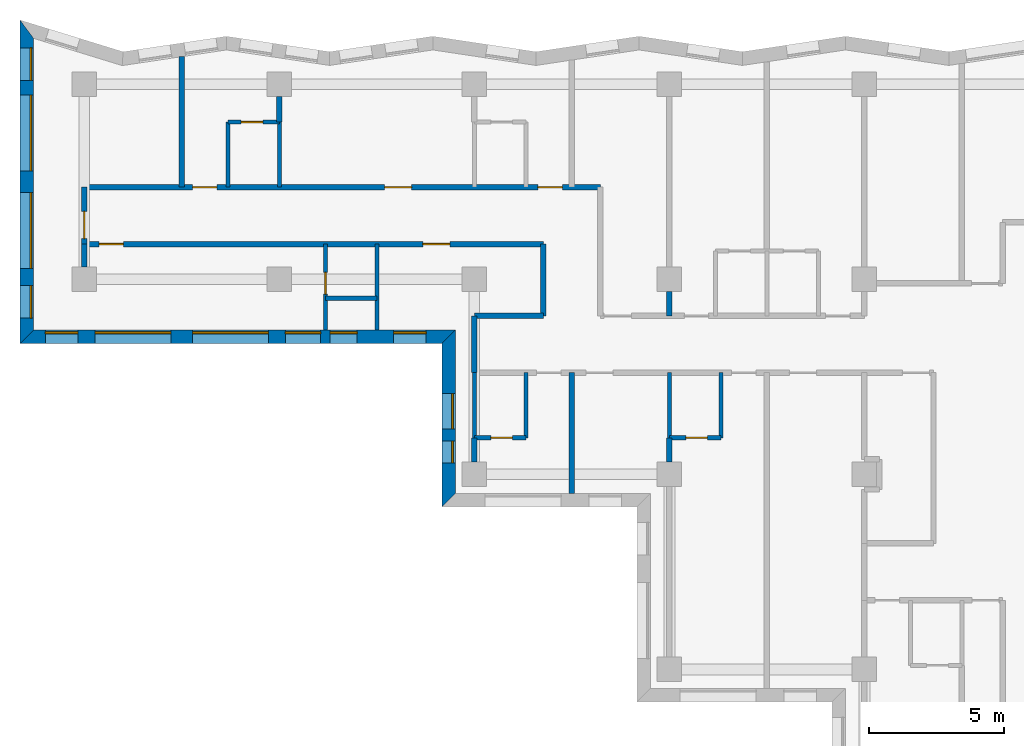
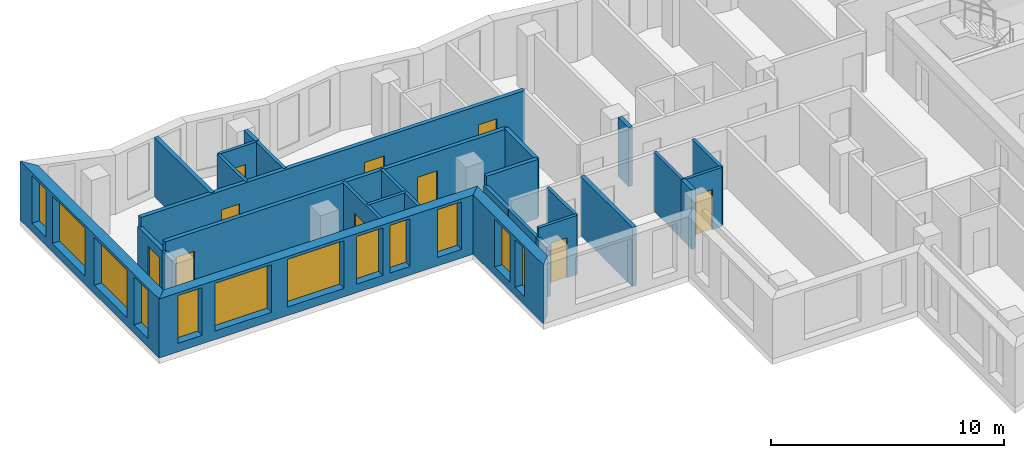
# One storey, part 4 of 12: 28 walls, 12 windows, 10 doors, 22 openings.
"""IFC4 building model written with IfcOpenShell, lengths in metres."""

from ifc_helpers import new_model, si_unit, direction, frame, frame_2d, origin, place, context, subcontext, project, spatial, polyline, rectangle, outline, extrude, material, layer, layer_set, type_object, element, fill, save


model = new_model("IFC4")

# Units and contexts
model_context = context("Model", 3, precision=1e-05, world=origin(), true_north=direction((0.0, 1.0)))
body_context = subcontext(model_context, "Body", "Model", "MODEL_VIEW")
ifc_project = project(units=[si_unit("LENGTHUNIT", "METRE"), si_unit("AREAUNIT", "SQUARE_METRE"), si_unit("VOLUMEUNIT", "CUBIC_METRE"), si_unit("PLANEANGLEUNIT", "RADIAN"), si_unit("MASSUNIT", "GRAM", prefix="KILO")], contexts=[model_context])

# Site, building, storey
site_placement = place(None, origin())
site = spatial("IfcSite", under=ifc_project, at=site_placement, CompositionType="ELEMENT")
building_placement = place(site_placement, origin())
building = spatial("IfcBuilding", under=site, at=building_placement, Name="Windrow Commons", CompositionType="ELEMENT")
storey_placement = place(building_placement, frame((0.0, 0.0, 166.0)))
storey = spatial("IfcBuildingStorey", under=building, at=storey_placement, Name="L45", CompositionType="ELEMENT", Elevation=166.0)

# Wall, openings, windows
ifc_material_1 = material(Name="Brick masonry, red clay brick", Category="masonry")
ifc_layer_1 = layer(ifc_material_1, 0.5)
ifc_layer_set_1 = layer_set([ifc_layer_1], Name="Brick facade wall 500")
wall_type_1 = type_object("IfcWallType", Name="Brick facade wall 500", PredefinedType="SOLIDWALL", material=ifc_layer_set_1)
wall_1_placement = place(storey_placement, frame((19.478, 74.0335, 0.0), z_axis=(0.0, 0.0, 1.0), x_axis=(0.0, -1.0, 0.0)))
wall_1 = element("IfcWall", 1, at=wall_1_placement, inside=storey, type_object=wall_type_1, Name="Brick facade wall L45 35", PredefinedType="SOLIDWALL", context=body_context, shape_type="SweptSolid", body=[
    extrude(outline(polyline([(-0.3385, -0.25), (11.6055, -0.25), (11.1055, 0.25), (0.3385, 0.25), (-0.3385, -0.25)])), origin(), (0.0, 0.0, 1.0), 3.1),
])
opening_1_placement = place(wall_1_placement, frame((2.4335, 0.0, 0.45)))
opening_1 = element("IfcOpeningElement", 2, at=opening_1_placement, cuts=wall_1, Name="Opening W1U", PredefinedType="OPENING", context=body_context, shape_type="SweptSolid", body=[
    extrude(rectangle(XDim=2.8, YDim=2.5, at=frame_2d((1.4, 1.25))), frame((0.0, 0.26, 0.0), z_axis=(0.0, -1.0, 0.0), x_axis=(1.0, 0.0, 0.0)), (0.0, 0.0, 1.0), 0.52),
])
opening_2_placement = place(wall_1_placement, frame((6.0335, 0.0, 0.45)))
opening_2 = element("IfcOpeningElement", 3, at=opening_2_placement, cuts=wall_1, Name="Opening W1U", PredefinedType="OPENING", context=body_context, shape_type="SweptSolid", body=[
    extrude(rectangle(XDim=2.8, YDim=2.5, at=frame_2d((1.4, 1.25))), frame((0.0, 0.26, 0.0), z_axis=(0.0, -1.0, 0.0), x_axis=(1.0, 0.0, 0.0)), (0.0, 0.0, 1.0), 0.52),
])
opening_3_placement = place(wall_1_placement, frame((0.686, 0.0, 0.45)))
opening_3 = element("IfcOpeningElement", 4, at=opening_3_placement, cuts=wall_1, Name="Opening W7E", PredefinedType="OPENING", context=body_context, shape_type="SweptSolid", body=[
    extrude(rectangle(XDim=1.2, YDim=2.5, at=frame_2d((0.6, 1.25))), frame((0.0, 0.26, 0.0), z_axis=(0.0, -1.0, 0.0), x_axis=(1.0, 0.0, 0.0)), (0.0, 0.0, 1.0), 0.52),
])
opening_4_placement = place(wall_1_placement, frame((9.4695, 0.0, 0.45)))
opening_4 = element("IfcOpeningElement", 5, at=opening_4_placement, cuts=wall_1, Name="Opening W7E", PredefinedType="OPENING", context=body_context, shape_type="SweptSolid", body=[
    extrude(rectangle(XDim=1.2, YDim=2.5, at=frame_2d((0.6, 1.25))), frame((0.0, 0.26, 0.0), z_axis=(0.0, -1.0, 0.0), x_axis=(1.0, 0.0, 0.0)), (0.0, 0.0, 1.0), 0.52),
])
ifc_material_2 = material(Name="Clear float glass in anodised aluminium frame", Category="aluminium")
window_type_1 = type_object("IfcWindowType", Name="Window W1U bedroom 2800x2500", PartitioningType="SINGLE_PANEL", PredefinedType="WINDOW", material=ifc_material_2)
window_1_placement = place(opening_1_placement, origin())
window_1 = element("IfcWindow", 6, at=window_1_placement, inside=storey, type_object=window_type_1, Name="Window L45 35.1", OverallHeight=2.5, OverallWidth=2.8, PartitioningType="SINGLE_PANEL", PredefinedType="WINDOW", context=body_context, shape_type="SweptSolid", body=[
    extrude(rectangle(XDim=2.8, YDim=2.5, at=frame_2d((1.4, 1.25))), frame((0.0, 0.18, 0.0), z_axis=(0.0, -1.0, 0.0), x_axis=(1.0, 0.0, 0.0)), (0.0, 0.0, 1.0), 0.06),
])
fill(opening_1, window_1)
window_2_placement = place(opening_2_placement, origin())
window_2 = element("IfcWindow", 7, at=window_2_placement, inside=storey, type_object=window_type_1, Name="Window L45 35.2", OverallHeight=2.5, OverallWidth=2.8, PartitioningType="SINGLE_PANEL", PredefinedType="WINDOW", context=body_context, shape_type="SweptSolid", body=[
    extrude(rectangle(XDim=2.8, YDim=2.5, at=frame_2d((1.4, 1.25))), frame((0.0, 0.18, 0.0), z_axis=(0.0, -1.0, 0.0), x_axis=(1.0, 0.0, 0.0)), (0.0, 0.0, 1.0), 0.06),
])
fill(opening_2, window_2)
ifc_material_3 = material(Name="Clear float glass in anodised aluminium frame", Category="aluminium")
window_type_2 = type_object("IfcWindowType", Name="Window W7 notch 1200x2500", PartitioningType="SINGLE_PANEL", PredefinedType="WINDOW", material=ifc_material_3)
window_3_placement = place(opening_3_placement, origin())
window_3 = element("IfcWindow", 8, at=window_3_placement, inside=storey, type_object=window_type_2, Name="Window L45 35.3", OverallHeight=2.5, OverallWidth=1.2, PartitioningType="SINGLE_PANEL", PredefinedType="WINDOW", context=body_context, shape_type="SweptSolid", body=[
    extrude(rectangle(XDim=1.2, YDim=2.5, at=frame_2d((0.6, 1.25))), frame((0.0, 0.18, 0.0), z_axis=(0.0, -1.0, 0.0), x_axis=(1.0, 0.0, 0.0)), (0.0, 0.0, 1.0), 0.06),
])
fill(opening_3, window_3)
window_4_placement = place(opening_4_placement, origin())
window_4 = element("IfcWindow", 9, at=window_4_placement, inside=storey, type_object=window_type_2, Name="Window L45 35.4", OverallHeight=2.5, OverallWidth=1.2, PartitioningType="SINGLE_PANEL", PredefinedType="WINDOW", context=body_context, shape_type="SweptSolid", body=[
    extrude(rectangle(XDim=1.2, YDim=2.5, at=frame_2d((0.6, 1.25))), frame((0.0, 0.18, 0.0), z_axis=(0.0, -1.0, 0.0), x_axis=(1.0, 0.0, 0.0)), (0.0, 0.0, 1.0), 0.06),
])
fill(opening_4, window_4)

wall_2_placement = place(storey_placement, frame((19.478, 62.678, 0.0), z_axis=(0.0, 0.0, 1.0), x_axis=(1.0, 0.0, 0.0)))
wall_2 = element("IfcWall", 10, at=wall_2_placement, inside=storey, type_object=wall_type_1, Name="Brick facade wall L45 36", PredefinedType="SOLIDWALL", context=body_context, shape_type="SweptSolid", body=[
    extrude(outline(polyline([(-0.25, -0.25), (15.322, -0.25), (15.822, 0.25), (0.25, 0.25), (-0.25, -0.25)])), origin(), (0.0, 0.0, 1.0), 3.1),
])
opening_5_placement = place(wall_2_placement, frame((2.522, 0.0, 0.45)))
opening_5 = element("IfcOpeningElement", 11, at=opening_5_placement, cuts=wall_2, Name="Opening W1U", PredefinedType="OPENING", context=body_context, shape_type="SweptSolid", body=[
    extrude(rectangle(XDim=2.8, YDim=2.5, at=frame_2d((1.4, 1.25))), frame((0.0, 0.26, 0.0), z_axis=(0.0, -1.0, 0.0), x_axis=(1.0, 0.0, 0.0)), (0.0, 0.0, 1.0), 0.52),
])
opening_6_placement = place(wall_2_placement, frame((6.122, 0.0, 0.45)))
opening_6 = element("IfcOpeningElement", 12, at=opening_6_placement, cuts=wall_2, Name="Opening W1U", PredefinedType="OPENING", context=body_context, shape_type="SweptSolid", body=[
    extrude(rectangle(XDim=2.8, YDim=2.5, at=frame_2d((1.4, 1.25))), frame((0.0, 0.26, 0.0), z_axis=(0.0, -1.0, 0.0), x_axis=(1.0, 0.0, 0.0)), (0.0, 0.0, 1.0), 0.52),
])
opening_7_placement = place(wall_2_placement, frame((0.686, 0.0, 0.45)))
opening_7 = element("IfcOpeningElement", 13, at=opening_7_placement, cuts=wall_2, Name="Opening W7E", PredefinedType="OPENING", context=body_context, shape_type="SweptSolid", body=[
    extrude(rectangle(XDim=1.2, YDim=2.5, at=frame_2d((0.6, 1.25))), frame((0.0, 0.26, 0.0), z_axis=(0.0, -1.0, 0.0), x_axis=(1.0, 0.0, 0.0)), (0.0, 0.0, 1.0), 0.52),
])
opening_8_placement = place(wall_2_placement, frame((13.547, 0.0, 0.45)))
opening_8 = element("IfcOpeningElement", 14, at=opening_8_placement, cuts=wall_2, Name="Opening W7E", PredefinedType="OPENING", context=body_context, shape_type="SweptSolid", body=[
    extrude(rectangle(XDim=1.2, YDim=2.5, at=frame_2d((0.6, 1.25))), frame((0.0, 0.26, 0.0), z_axis=(0.0, -1.0, 0.0), x_axis=(1.0, 0.0, 0.0)), (0.0, 0.0, 1.0), 0.52),
])
opening_9_placement = place(wall_2_placement, frame((9.547, 0.0, 0.45)))
opening_9 = element("IfcOpeningElement", 15, at=opening_9_placement, cuts=wall_2, Name="Opening W1Q", PredefinedType="OPENING", context=body_context, shape_type="SweptSolid", body=[
    extrude(rectangle(XDim=1.3, YDim=2.5, at=frame_2d((0.65, 1.25))), frame((0.0, 0.26, 0.0), z_axis=(0.0, -1.0, 0.0), x_axis=(1.0, 0.0, 0.0)), (0.0, 0.0, 1.0), 0.52),
])
opening_10_placement = place(wall_2_placement, frame((11.197, 0.0, 0.45)))
opening_10 = element("IfcOpeningElement", 16, at=opening_10_placement, cuts=wall_2, Name="Opening W1S", PredefinedType="OPENING", context=body_context, shape_type="SweptSolid", body=[
    extrude(rectangle(XDim=1.0, YDim=2.5, at=frame_2d((0.5, 1.25))), frame((0.0, 0.26, 0.0), z_axis=(0.0, -1.0, 0.0), x_axis=(1.0, 0.0, 0.0)), (0.0, 0.0, 1.0), 0.52),
])
ifc_material_4 = material(Name="Clear float glass in anodised aluminium frame", Category="aluminium")
window_type_3 = type_object("IfcWindowType", Name="Window W1Q pair 1300x2500", PartitioningType="SINGLE_PANEL", PredefinedType="WINDOW", material=ifc_material_4)
window_5_placement = place(opening_9_placement, origin())
window_5 = element("IfcWindow", 17, at=window_5_placement, inside=storey, type_object=window_type_3, Name="Window L45 36.3A", OverallHeight=2.5, OverallWidth=1.3, PartitioningType="SINGLE_PANEL", PredefinedType="WINDOW", context=body_context, shape_type="SweptSolid", body=[
    extrude(rectangle(XDim=1.3, YDim=2.5, at=frame_2d((0.65, 1.25))), frame((0.0, 0.18, 0.0), z_axis=(0.0, -1.0, 0.0), x_axis=(1.0, 0.0, 0.0)), (0.0, 0.0, 1.0), 0.06),
])
fill(opening_9, window_5)
ifc_material_5 = material(Name="Clear float glass in anodised aluminium frame", Category="aluminium")
window_type_4 = type_object("IfcWindowType", Name="Window W1S slit 1000x2500", PartitioningType="SINGLE_PANEL", PredefinedType="WINDOW", material=ifc_material_5)
window_6_placement = place(opening_10_placement, origin())
window_6 = element("IfcWindow", 18, at=window_6_placement, inside=storey, type_object=window_type_4, Name="Window L45 36.3B", OverallHeight=2.5, OverallWidth=1.0, PartitioningType="SINGLE_PANEL", PredefinedType="WINDOW", context=body_context, shape_type="SweptSolid", body=[
    extrude(rectangle(XDim=1.0, YDim=2.5, at=frame_2d((0.5, 1.25))), frame((0.0, 0.18, 0.0), z_axis=(0.0, -1.0, 0.0), x_axis=(1.0, 0.0, 0.0)), (0.0, 0.0, 1.0), 0.06),
])
fill(opening_10, window_6)
window_7_placement = place(opening_5_placement, origin())
window_7 = element("IfcWindow", 19, at=window_7_placement, inside=storey, type_object=window_type_1, Name="Window L45 36.1", OverallHeight=2.5, OverallWidth=2.8, PartitioningType="SINGLE_PANEL", PredefinedType="WINDOW", context=body_context, shape_type="SweptSolid", body=[
    extrude(rectangle(XDim=2.8, YDim=2.5, at=frame_2d((1.4, 1.25))), frame((0.0, 0.18, 0.0), z_axis=(0.0, -1.0, 0.0), x_axis=(1.0, 0.0, 0.0)), (0.0, 0.0, 1.0), 0.06),
])
fill(opening_5, window_7)
window_8_placement = place(opening_6_placement, origin())
window_8 = element("IfcWindow", 20, at=window_8_placement, inside=storey, type_object=window_type_1, Name="Window L45 36.2", OverallHeight=2.5, OverallWidth=2.8, PartitioningType="SINGLE_PANEL", PredefinedType="WINDOW", context=body_context, shape_type="SweptSolid", body=[
    extrude(rectangle(XDim=2.8, YDim=2.5, at=frame_2d((1.4, 1.25))), frame((0.0, 0.18, 0.0), z_axis=(0.0, -1.0, 0.0), x_axis=(1.0, 0.0, 0.0)), (0.0, 0.0, 1.0), 0.06),
])
fill(opening_6, window_8)
window_9_placement = place(opening_7_placement, origin())
window_9 = element("IfcWindow", 21, at=window_9_placement, inside=storey, type_object=window_type_2, Name="Window L45 36.4", OverallHeight=2.5, OverallWidth=1.2, PartitioningType="SINGLE_PANEL", PredefinedType="WINDOW", context=body_context, shape_type="SweptSolid", body=[
    extrude(rectangle(XDim=1.2, YDim=2.5, at=frame_2d((0.6, 1.25))), frame((0.0, 0.18, 0.0), z_axis=(0.0, -1.0, 0.0), x_axis=(1.0, 0.0, 0.0)), (0.0, 0.0, 1.0), 0.06),
])
fill(opening_7, window_9)
window_10_placement = place(opening_8_placement, origin())
window_10 = element("IfcWindow", 22, at=window_10_placement, inside=storey, type_object=window_type_2, Name="Window L45 36.5", OverallHeight=2.5, OverallWidth=1.2, PartitioningType="SINGLE_PANEL", PredefinedType="WINDOW", context=body_context, shape_type="SweptSolid", body=[
    extrude(rectangle(XDim=1.2, YDim=2.5, at=frame_2d((0.6, 1.25))), frame((0.0, 0.18, 0.0), z_axis=(0.0, -1.0, 0.0), x_axis=(1.0, 0.0, 0.0)), (0.0, 0.0, 1.0), 0.06),
])
fill(opening_8, window_10)

wall_3_placement = place(storey_placement, frame((35.05, 62.678, 0.0), z_axis=(0.0, 0.0, 1.0), x_axis=(0.0, -1.0, 0.0)))
wall_3 = element("IfcWall", 23, at=wall_3_placement, inside=storey, type_object=wall_type_1, Name="Brick facade wall L45 37", PredefinedType="SOLIDWALL", context=body_context, shape_type="SweptSolid", body=[
    extrude(outline(polyline([(0.25, -0.25), (6.278, -0.25), (5.778, 0.25), (-0.25, 0.25), (0.25, -0.25)])), origin(), (0.0, 0.0, 1.0), 3.1),
])
opening_11_placement = place(wall_3_placement, frame((2.103, 0.0, 0.45)))
opening_11 = element("IfcOpeningElement", 24, at=opening_11_placement, cuts=wall_3, Name="Opening W1Q", PredefinedType="OPENING", context=body_context, shape_type="SweptSolid", body=[
    extrude(rectangle(XDim=1.3, YDim=2.5, at=frame_2d((0.65, 1.25))), frame((0.0, 0.26, 0.0), z_axis=(0.0, -1.0, 0.0), x_axis=(1.0, 0.0, 0.0)), (0.0, 0.0, 1.0), 0.52),
])
opening_12_placement = place(wall_3_placement, frame((3.853, 0.0, 0.45)))
opening_12 = element("IfcOpeningElement", 25, at=opening_12_placement, cuts=wall_3, Name="Opening W1N", PredefinedType="OPENING", context=body_context, shape_type="SweptSolid", body=[
    extrude(rectangle(XDim=0.8, YDim=2.5, at=frame_2d((0.4, 1.25))), frame((0.0, 0.26, 0.0), z_axis=(0.0, -1.0, 0.0), x_axis=(1.0, 0.0, 0.0)), (0.0, 0.0, 1.0), 0.52),
])
ifc_material_6 = material(Name="Clear float glass in anodised aluminium frame", Category="aluminium")
window_type_5 = type_object("IfcWindowType", Name="Window W1N slit 800x2500", PartitioningType="SINGLE_PANEL", PredefinedType="WINDOW", material=ifc_material_6)
window_11_placement = place(opening_12_placement, origin())
window_11 = element("IfcWindow", 26, at=window_11_placement, inside=storey, type_object=window_type_5, Name="Window L45 37.1B", OverallHeight=2.5, OverallWidth=0.8, PartitioningType="SINGLE_PANEL", PredefinedType="WINDOW", context=body_context, shape_type="SweptSolid", body=[
    extrude(rectangle(XDim=0.8, YDim=2.5, at=frame_2d((0.4, 1.25))), frame((0.0, 0.18, 0.0), z_axis=(0.0, -1.0, 0.0), x_axis=(1.0, 0.0, 0.0)), (0.0, 0.0, 1.0), 0.06),
])
fill(opening_12, window_11)
window_12_placement = place(opening_11_placement, origin())
window_12 = element("IfcWindow", 27, at=window_12_placement, inside=storey, type_object=window_type_3, Name="Window L45 37.1A", OverallHeight=2.5, OverallWidth=1.3, PartitioningType="SINGLE_PANEL", PredefinedType="WINDOW", context=body_context, shape_type="SweptSolid", body=[
    extrude(rectangle(XDim=1.3, YDim=2.5, at=frame_2d((0.65, 1.25))), frame((0.0, 0.18, 0.0), z_axis=(0.0, -1.0, 0.0), x_axis=(1.0, 0.0, 0.0)), (0.0, 0.0, 1.0), 0.06),
])
fill(opening_11, window_12)

# Wall, openings, doors
ifc_material_7 = material(Name="Blockwork partition", Category="masonry")
ifc_layer_2 = layer(ifc_material_7, 0.2)
ifc_layer_set_2 = layer_set([ifc_layer_2], Name="IW-CORRIDOR-200")
wall_type_2 = type_object("IfcWallType", Name="IW-CORRIDOR-200", PredefinedType="PARTITIONING", material=ifc_layer_set_2)
wall_4_placement = place(storey_placement, frame((21.602, 68.2, 0.0), z_axis=(0.0, 0.0, 1.0), x_axis=(1.0, 0.0, 0.0)))
wall_4 = element("IfcWall", 28, at=wall_4_placement, inside=storey, type_object=wall_type_2, Name="W-L45-W000", PredefinedType="PARTITIONING", context=body_context, shape_type="SweptSolid", body=[
    extrude(rectangle(XDim=19.048, YDim=0.2, at=frame_2d((9.524, 0.0))), origin(), (0.0, 0.0, 1.0), 3.1),
])
opening_13_placement = place(wall_4_placement, frame((3.998, 0.0, 0.0)))
opening_13 = element("IfcOpeningElement", 29, at=opening_13_placement, cuts=wall_4, Name="Opening D109S", PredefinedType="OPENING", context=body_context, shape_type="SweptSolid", body=[
    extrude(rectangle(XDim=0.9, YDim=2.1, at=frame_2d((0.45, 1.05))), frame((0.0, 0.11, 0.0), z_axis=(0.0, -1.0, 0.0), x_axis=(1.0, 0.0, 0.0)), (0.0, 0.0, 1.0), 0.22),
])
opening_14_placement = place(wall_4_placement, frame((11.0842, 0.0, 0.0)))
opening_14 = element("IfcOpeningElement", 30, at=opening_14_placement, cuts=wall_4, Name="Opening D310F", PredefinedType="OPENING", context=body_context, shape_type="SweptSolid", body=[
    extrude(rectangle(XDim=1.0, YDim=2.1, at=frame_2d((0.5, 1.05))), frame((0.0, 0.11, 0.0), z_axis=(0.0, -1.0, 0.0), x_axis=(1.0, 0.0, 0.0)), (0.0, 0.0, 1.0), 0.22),
])
opening_15_placement = place(wall_4_placement, frame((16.748, 0.0, 0.0)))
opening_15 = element("IfcOpeningElement", 31, at=opening_15_placement, cuts=wall_4, Name="Opening D109S", PredefinedType="OPENING", context=body_context, shape_type="SweptSolid", body=[
    extrude(rectangle(XDim=0.9, YDim=2.1, at=frame_2d((0.45, 1.05))), frame((0.0, 0.11, 0.0), z_axis=(0.0, -1.0, 0.0), x_axis=(1.0, 0.0, 0.0)), (0.0, 0.0, 1.0), 0.22),
])
ifc_material_8 = material(Name="Timber door leaf", Category="wood")
door_type_1 = type_object("IfcDoorType", Name="DT-AMENITY-1000", OperationType="SINGLE_SWING_LEFT", PredefinedType="DOOR", material=ifc_material_8)
door_1_placement = place(opening_14_placement, origin())
door_1 = element("IfcDoor", 32, at=door_1_placement, inside=storey, type_object=door_type_1, Name="D-L45-D007", OperationType="SINGLE_SWING_RIGHT", OverallHeight=2.1, OverallWidth=1.0, PredefinedType="DOOR", context=body_context, shape_type="SweptSolid", body=[
    extrude(rectangle(XDim=1.0, YDim=2.1, at=frame_2d((0.5, 1.05))), frame((0.0, 0.025, 0.0), z_axis=(0.0, -1.0, 0.0), x_axis=(1.0, 0.0, 0.0)), (0.0, 0.0, 1.0), 0.05),
])
fill(opening_14, door_1)
ifc_material_9 = material(Name="Timber door leaf", Category="wood")
door_type_2 = type_object("IfcDoorType", Name="DT-BEDROOM-900", OperationType="SINGLE_SWING_LEFT", PredefinedType="DOOR", material=ifc_material_9)
door_2_placement = place(opening_13_placement, origin())
door_2 = element("IfcDoor", 33, at=door_2_placement, inside=storey, type_object=door_type_2, Name="D-L45-D005", OperationType="SINGLE_SWING_LEFT", OverallHeight=2.1, OverallWidth=0.9, PredefinedType="DOOR", context=body_context, shape_type="SweptSolid", body=[
    extrude(rectangle(XDim=0.9, YDim=2.1, at=frame_2d((0.45, 1.05))), frame((0.0, 0.025, 0.0), z_axis=(0.0, -1.0, 0.0), x_axis=(1.0, 0.0, 0.0)), (0.0, 0.0, 1.0), 0.05),
])
fill(opening_13, door_2)
door_3_placement = place(opening_15_placement, origin())
door_3 = element("IfcDoor", 34, at=door_3_placement, inside=storey, type_object=door_type_2, Name="D-L45-D008", OperationType="SINGLE_SWING_RIGHT", OverallHeight=2.1, OverallWidth=0.9, PredefinedType="DOOR", context=body_context, shape_type="SweptSolid", body=[
    extrude(rectangle(XDim=0.9, YDim=2.1, at=frame_2d((0.45, 1.05))), frame((0.0, 0.025, 0.0), z_axis=(0.0, -1.0, 0.0), x_axis=(1.0, 0.0, 0.0)), (0.0, 0.0, 1.0), 0.05),
])
fill(opening_15, door_3)

wall_5_placement = place(storey_placement, frame((21.6, 66.1, 0.0), z_axis=(0.0, 0.0, 1.0), x_axis=(1.0, 0.0, 0.0)))
wall_5 = element("IfcWall", 35, at=wall_5_placement, inside=storey, type_object=wall_type_2, Name="W-L45-W004", PredefinedType="PARTITIONING", context=body_context, shape_type="SweptSolid", body=[
    extrude(rectangle(XDim=16.95, YDim=0.2, at=frame_2d((8.475, 0.0))), origin(), (0.0, 0.0, 1.0), 3.1),
])
opening_16_placement = place(wall_5_placement, frame((0.5458, 0.0, 0.0)))
opening_16 = element("IfcOpeningElement", 36, at=opening_16_placement, cuts=wall_5, Name="Opening D109S", PredefinedType="OPENING", context=body_context, shape_type="SweptSolid", body=[
    extrude(rectangle(XDim=0.9, YDim=2.1, at=frame_2d((0.45, 1.05))), frame((0.0, 0.11, 0.0), z_axis=(0.0, -1.0, 0.0), x_axis=(1.0, 0.0, 0.0)), (0.0, 0.0, 1.0), 0.22),
])
opening_17_placement = place(wall_5_placement, frame((12.5016, 0.0, 0.0)))
opening_17 = element("IfcOpeningElement", 37, at=opening_17_placement, cuts=wall_5, Name="Opening D310F", PredefinedType="OPENING", context=body_context, shape_type="SweptSolid", body=[
    extrude(rectangle(XDim=1.0, YDim=2.1, at=frame_2d((0.5, 1.05))), frame((0.0, 0.11, 0.0), z_axis=(0.0, -1.0, 0.0), x_axis=(1.0, 0.0, 0.0)), (0.0, 0.0, 1.0), 0.22),
])
door_4_placement = place(opening_17_placement, origin())
door_4 = element("IfcDoor", 38, at=door_4_placement, inside=storey, type_object=door_type_1, Name="D-L45-D010", OperationType="SINGLE_SWING_RIGHT", OverallHeight=2.1, OverallWidth=1.0, PredefinedType="DOOR", context=body_context, shape_type="SweptSolid", body=[
    extrude(rectangle(XDim=1.0, YDim=2.1, at=frame_2d((0.5, 1.05))), frame((0.0, 0.025, 0.0), z_axis=(0.0, -1.0, 0.0), x_axis=(1.0, 0.0, 0.0)), (0.0, 0.0, 1.0), 0.05),
])
fill(opening_17, door_4)
door_5_placement = place(opening_16_placement, origin())
door_5 = element("IfcDoor", 39, at=door_5_placement, inside=storey, type_object=door_type_2, Name="D-L45-D003", OperationType="SINGLE_SWING_LEFT", OverallHeight=2.1, OverallWidth=0.9, PredefinedType="DOOR", context=body_context, shape_type="SweptSolid", body=[
    extrude(rectangle(XDim=0.9, YDim=2.1, at=frame_2d((0.45, 1.05))), frame((0.0, 0.025, 0.0), z_axis=(0.0, -1.0, 0.0), x_axis=(1.0, 0.0, 0.0)), (0.0, 0.0, 1.0), 0.05),
])
fill(opening_16, door_5)

# Walls
wall_6_placement = place(storey_placement, frame((38.55, 63.452, 0.0), z_axis=(0.0, 0.0, 1.0), x_axis=(0.0, 1.0, 0.0)))
element("IfcWall", 40, at=wall_6_placement, inside=storey, type_object=wall_type_2, Name="W-L45-W063", PredefinedType="PARTITIONING", context=body_context, shape_type="SweptSolid", body=[
    extrude(rectangle(XDim=2.646, YDim=0.2, at=frame_2d((1.323, 0.0))), origin(), (0.0, 0.0, 1.0), 3.1),
])
wall_7_placement = place(storey_placement, frame((36.002, 63.45, 0.0), z_axis=(0.0, 0.0, 1.0), x_axis=(1.0, 0.0, 0.0)))
element("IfcWall", 41, at=wall_7_placement, inside=storey, type_object=wall_type_2, Name="W-L45-W066", PredefinedType="PARTITIONING", context=body_context, shape_type="SweptSolid", body=[
    extrude(rectangle(XDim=2.548, YDim=0.2, at=frame_2d((1.274, 0.0))), origin(), (0.0, 0.0, 1.0), 3.1),
])
wall_8_placement = place(storey_placement, frame((36.0, 61.35, 0.0), z_axis=(0.0, 0.0, 1.0), x_axis=(0.0, 1.0, 0.0)))
element("IfcWall", 42, at=wall_8_placement, inside=storey, type_object=wall_type_2, Name="W-L45-W110", PredefinedType="PARTITIONING", context=body_context, shape_type="SweptSolid", body=[
    extrude(rectangle(XDim=2.1, YDim=0.2, at=frame_2d((1.05, 0.0))), origin(), (0.0, 0.0, 1.0), 2.6),
])

# Wall, opening, door
wall_9_placement = place(storey_placement, frame((21.6, 66.1, 0.0), z_axis=(0.0, 0.0, 1.0), x_axis=(0.0, 1.0, 0.0)))
wall_9 = element("IfcWall", 43, at=wall_9_placement, inside=storey, type_object=wall_type_2, Name="W-L45-W114", PredefinedType="PARTITIONING", context=body_context, shape_type="SweptSolid", body=[
    extrude(rectangle(XDim=2.098, YDim=0.2, at=frame_2d((1.049, 0.0))), origin(), (0.0, 0.0, 1.0), 2.6),
])
opening_18_placement = place(wall_9_placement, frame((0.2057, 0.0, 0.0)))
opening_18 = element("IfcOpeningElement", 44, at=opening_18_placement, cuts=wall_9, Name="Opening D310F", PredefinedType="OPENING", context=body_context, shape_type="SweptSolid", body=[
    extrude(rectangle(XDim=1.0, YDim=2.1, at=frame_2d((0.5, 1.05))), frame((0.0, 0.11, 0.0), z_axis=(0.0, -1.0, 0.0), x_axis=(1.0, 0.0, 0.0)), (0.0, 0.0, 1.0), 0.22),
])
door_6_placement = place(opening_18_placement, origin())
door_6 = element("IfcDoor", 45, at=door_6_placement, inside=storey, type_object=door_type_1, Name="D-L45-D002", OperationType="SINGLE_SWING_RIGHT", OverallHeight=2.1, OverallWidth=1.0, PredefinedType="DOOR", context=body_context, shape_type="SweptSolid", body=[
    extrude(rectangle(XDim=1.0, YDim=2.1, at=frame_2d((0.5, 1.05))), frame((0.0, 0.025, 0.0), z_axis=(0.0, -1.0, 0.0), x_axis=(1.0, 0.0, 0.0)), (0.0, 0.0, 1.0), 0.05),
])
fill(opening_18, door_6)

# Wall
ifc_material_10 = material(Name="Blockwork partition", Category="masonry")
ifc_layer_3 = layer(ifc_material_10, 0.15)
ifc_layer_set_3 = layer_set([ifc_layer_3], Name="IW-ENSUITE-150")
wall_type_3 = type_object("IfcWallType", Name="IW-ENSUITE-150", PredefinedType="PARTITIONING", material=ifc_layer_set_3)
wall_10_placement = place(storey_placement, frame((32.4, 62.928, 0.0), z_axis=(0.0, 0.0, 1.0), x_axis=(0.0, 1.0, 0.0)))
element("IfcWall", 46, at=wall_10_placement, inside=storey, type_object=wall_type_3, Name="W-L45-W060", PredefinedType="PARTITIONING", context=body_context, shape_type="SweptSolid", body=[
    extrude(rectangle(XDim=3.172, YDim=0.15, at=frame_2d((1.586, 0.0))), origin(), (0.0, 0.0, 1.0), 3.1),
])

# Wall, opening, door
wall_11_placement = place(storey_placement, frame((30.5, 62.928, 0.0), z_axis=(0.0, 0.0, 1.0), x_axis=(0.0, 1.0, 0.0)))
wall_11 = element("IfcWall", 47, at=wall_11_placement, inside=storey, type_object=wall_type_3, Name="W-L45-W061", PredefinedType="PARTITIONING", context=body_context, shape_type="SweptSolid", body=[
    extrude(rectangle(XDim=3.172, YDim=0.15, at=frame_2d((1.586, 0.0))), origin(), (0.0, 0.0, 1.0), 3.1),
])
opening_19_placement = place(wall_11_placement, frame((1.328, 0.0, 0.0)))
opening_19 = element("IfcOpeningElement", 48, at=opening_19_placement, cuts=wall_11, Name="Opening D208N", PredefinedType="OPENING", context=body_context, shape_type="SweptSolid", body=[
    extrude(rectangle(XDim=0.8, YDim=2.1, at=frame_2d((0.4, 1.05))), frame((0.0, 0.085, 0.0), z_axis=(0.0, -1.0, 0.0), x_axis=(1.0, 0.0, 0.0)), (0.0, 0.0, 1.0), 0.17),
])
ifc_material_11 = material(Name="Timber door leaf", Category="wood")
door_type_3 = type_object("IfcDoorType", Name="DT-ENSUITE-800", OperationType="SINGLE_SWING_LEFT", PredefinedType="DOOR", material=ifc_material_11)
door_7_placement = place(opening_19_placement, origin())
door_7 = element("IfcDoor", 49, at=door_7_placement, inside=storey, type_object=door_type_3, Name="D-L45-D004", OperationType="SINGLE_SWING_RIGHT", OverallHeight=2.1, OverallWidth=0.8, PredefinedType="DOOR", context=body_context, shape_type="SweptSolid", body=[
    extrude(rectangle(XDim=0.8, YDim=2.1, at=frame_2d((0.4, 1.05))), frame((0.0, 0.025, 0.0), z_axis=(0.0, -1.0, 0.0), x_axis=(1.0, 0.0, 0.0)), (0.0, 0.0, 1.0), 0.05),
])
fill(opening_19, door_7)

# Walls
wall_12_placement = place(storey_placement, frame((37.9, 58.95, 0.0), z_axis=(0.0, 0.0, 1.0), x_axis=(0.0, 1.0, 0.0)))
element("IfcWall", 50, at=wall_12_placement, inside=storey, type_object=wall_type_3, Name="W-L45-W073", PredefinedType="PARTITIONING", context=body_context, shape_type="SweptSolid", body=[
    extrude(rectangle(XDim=2.4, YDim=0.15, at=frame_2d((1.2, 0.0))), origin(), (0.0, 0.0, 1.0), 3.1),
])
wall_13_placement = place(storey_placement, frame((36.0, 58.95, 0.0), z_axis=(0.0, 0.0, 1.0), x_axis=(0.0, 1.0, 0.0)))
element("IfcWall", 51, at=wall_13_placement, inside=storey, type_object=wall_type_3, Name="W-L45-W074", PredefinedType="PARTITIONING", context=body_context, shape_type="SweptSolid", body=[
    extrude(rectangle(XDim=2.4, YDim=0.15, at=frame_2d((1.2, 0.0))), origin(), (0.0, 0.0, 1.0), 2.6),
])
for number, where, z_axis, x_axis, name in (
    (52, (45.1, 58.95, 0.0), (0.0, 0.0, 1.0), (0.0, 1.0, 0.0), "W-L45-W075"),
    (53, (43.2, 58.95, 0.0), (0.0, 0.0, 1.0), (0.0, 1.0, 0.0), "W-L45-W076"),
    (54, (26.9, 68.2, 0.0), (0.0, 0.0, 1.0), (0.0, 1.0, 0.0), "W-L45-W079"),
    (55, (28.8, 68.2, 0.0), (0.0, 0.0, 1.0), (0.0, 1.0, 0.0), "W-L45-W080"),
):
    element("IfcWall", number, at=place(storey_placement, frame(where, z_axis=z_axis, x_axis=x_axis)), inside=storey, type_object=wall_type_3, Name=name, PredefinedType="PARTITIONING", context=body_context, shape_type="SweptSolid", body=[
        extrude(rectangle(XDim=2.4, YDim=0.15, at=frame_2d((1.2, 0.0))), origin(), (0.0, 0.0, 1.0), 3.1),
    ])

# Wall, opening, door
wall_14_placement = place(storey_placement, frame((26.9, 70.6, 0.0), z_axis=(0.0, 0.0, 1.0), x_axis=(1.0, 0.0, 0.0)))
wall_14 = element("IfcWall", 56, at=wall_14_placement, inside=storey, type_object=wall_type_3, Name="W-L45-W118", PredefinedType="PARTITIONING", context=body_context, shape_type="SweptSolid", body=[
    extrude(rectangle(XDim=1.9, YDim=0.15, at=frame_2d((0.95, 0.0))), origin(), (0.0, 0.0, 1.0), 3.1),
])
opening_20_placement = place(wall_14_placement, frame((0.4931, 0.0, 0.0)))
opening_20 = element("IfcOpeningElement", 57, at=opening_20_placement, cuts=wall_14, Name="Opening D208N", PredefinedType="OPENING", context=body_context, shape_type="SweptSolid", body=[
    extrude(rectangle(XDim=0.8, YDim=2.1, at=frame_2d((0.4, 1.05))), frame((0.0, 0.085, 0.0), z_axis=(0.0, -1.0, 0.0), x_axis=(1.0, 0.0, 0.0)), (0.0, 0.0, 1.0), 0.17),
])
door_8_placement = place(opening_20_placement, origin())
door_8 = element("IfcDoor", 58, at=door_8_placement, inside=storey, type_object=door_type_3, Name="D-L45-D006", OperationType="SINGLE_SWING_RIGHT", OverallHeight=2.1, OverallWidth=0.8, PredefinedType="DOOR", context=body_context, shape_type="SweptSolid", body=[
    extrude(rectangle(XDim=0.8, YDim=2.1, at=frame_2d((0.4, 1.05))), frame((0.0, 0.025, 0.0), z_axis=(0.0, -1.0, 0.0), x_axis=(1.0, 0.0, 0.0)), (0.0, 0.0, 1.0), 0.05),
])
fill(opening_20, door_8)

# Wall
wall_15_placement = place(storey_placement, frame((30.5, 64.1, 0.0), z_axis=(0.0, 0.0, 1.0), x_axis=(1.0, 0.0, 0.0)))
element("IfcWall", 59, at=wall_15_placement, inside=storey, type_object=wall_type_3, Name="W-L45-W120", PredefinedType="PARTITIONING", context=body_context, shape_type="SweptSolid", body=[
    extrude(rectangle(XDim=1.9, YDim=0.15, at=frame_2d((0.95, 0.0))), origin(), (0.0, 0.0, 1.0), 3.1),
])

# Wall, opening, door
wall_16_placement = place(storey_placement, frame((36.0, 58.95, 0.0), z_axis=(0.0, 0.0, 1.0), x_axis=(1.0, 0.0, 0.0)))
wall_16 = element("IfcWall", 60, at=wall_16_placement, inside=storey, type_object=wall_type_3, Name="W-L45-W121", PredefinedType="PARTITIONING", context=body_context, shape_type="SweptSolid", body=[
    extrude(rectangle(XDim=1.9, YDim=0.15, at=frame_2d((0.95, 0.0))), origin(), (0.0, 0.0, 1.0), 3.1),
])
opening_21_placement = place(wall_16_placement, frame((0.6069, 0.0, 0.0)))
opening_21 = element("IfcOpeningElement", 61, at=opening_21_placement, cuts=wall_16, Name="Opening D208N", PredefinedType="OPENING", context=body_context, shape_type="SweptSolid", body=[
    extrude(rectangle(XDim=0.8, YDim=2.1, at=frame_2d((0.4, 1.05))), frame((0.0, 0.085, 0.0), z_axis=(0.0, -1.0, 0.0), x_axis=(1.0, 0.0, 0.0)), (0.0, 0.0, 1.0), 0.17),
])
door_9_placement = place(opening_21_placement, origin())
door_9 = element("IfcDoor", 62, at=door_9_placement, inside=storey, type_object=door_type_3, Name="D-L45-D012", OperationType="SINGLE_SWING_RIGHT", OverallHeight=2.1, OverallWidth=0.8, PredefinedType="DOOR", context=body_context, shape_type="SweptSolid", body=[
    extrude(rectangle(XDim=0.8, YDim=2.1, at=frame_2d((0.4, 1.05))), frame((0.0, 0.025, 0.0), z_axis=(0.0, -1.0, 0.0), x_axis=(1.0, 0.0, 0.0)), (0.0, 0.0, 1.0), 0.05),
])
fill(opening_21, door_9)

wall_17_placement = place(storey_placement, frame((43.2, 58.95, 0.0), z_axis=(0.0, 0.0, 1.0), x_axis=(1.0, 0.0, 0.0)))
wall_17 = element("IfcWall", 63, at=wall_17_placement, inside=storey, type_object=wall_type_3, Name="W-L45-W122", PredefinedType="PARTITIONING", context=body_context, shape_type="SweptSolid", body=[
    extrude(rectangle(XDim=1.9, YDim=0.15, at=frame_2d((0.95, 0.0))), origin(), (0.0, 0.0, 1.0), 3.1),
])
opening_22_placement = place(wall_17_placement, frame((0.6069, 0.0, 0.0)))
opening_22 = element("IfcOpeningElement", 64, at=opening_22_placement, cuts=wall_17, Name="Opening D208N", PredefinedType="OPENING", context=body_context, shape_type="SweptSolid", body=[
    extrude(rectangle(XDim=0.8, YDim=2.1, at=frame_2d((0.4, 1.05))), frame((0.0, 0.085, 0.0), z_axis=(0.0, -1.0, 0.0), x_axis=(1.0, 0.0, 0.0)), (0.0, 0.0, 1.0), 0.17),
])
door_10_placement = place(opening_22_placement, origin())
door_10 = element("IfcDoor", 65, at=door_10_placement, inside=storey, type_object=door_type_3, Name="D-L45-D015", OperationType="SINGLE_SWING_RIGHT", OverallHeight=2.1, OverallWidth=0.8, PredefinedType="DOOR", context=body_context, shape_type="SweptSolid", body=[
    extrude(rectangle(XDim=0.8, YDim=2.1, at=frame_2d((0.4, 1.05))), frame((0.0, 0.025, 0.0), z_axis=(0.0, -1.0, 0.0), x_axis=(1.0, 0.0, 0.0)), (0.0, 0.0, 1.0), 0.05),
])
fill(opening_22, door_10)

# Walls
ifc_material_12 = material(Name="Blockwork partition", Category="masonry")
ifc_layer_4 = layer(ifc_material_12, 0.2)
ifc_layer_set_4 = layer_set([ifc_layer_4], Name="IW-PARTY-200")
wall_type_4 = type_object("IfcWallType", Name="IW-PARTY-200", PredefinedType="PARTITIONING", material=ifc_layer_set_4)
wall_18_placement = place(storey_placement, frame((25.2, 68.2, 0.0), z_axis=(0.0, 0.0, 1.0), x_axis=(0.0, 1.0, 0.0)))
element("IfcWall", 66, at=wall_18_placement, inside=storey, type_object=wall_type_4, Name="W-L45-W037", PredefinedType="PARTITIONING", context=body_context, shape_type="SweptSolid", body=[
    extrude(rectangle(XDim=4.8191, YDim=0.2, at=frame_2d((2.4095, 0.0))), origin(), (0.0, 0.0, 1.0), 3.1),
])
wall_19_placement = place(storey_placement, frame((39.6, 56.9, 0.0), z_axis=(0.0, 0.0, 1.0), x_axis=(0.0, 1.0, 0.0)))
element("IfcWall", 67, at=wall_19_placement, inside=storey, type_object=wall_type_4, Name="W-L45-W048", PredefinedType="PARTITIONING", context=body_context, shape_type="SweptSolid", body=[
    extrude(rectangle(XDim=4.45, YDim=0.2, at=frame_2d((2.225, 0.0))), origin(), (0.0, 0.0, 1.0), 3.1),
])
wall_20_placement = place(storey_placement, frame((28.8, 70.6, 0.0), z_axis=(0.0, 0.0, 1.0), x_axis=(0.0, 1.0, 0.0)))
element("IfcWall", 68, at=wall_20_placement, inside=storey, type_object=wall_type_4, Name="W-L45-W134", PredefinedType="PARTITIONING", context=body_context, shape_type="SweptSolid", body=[
    extrude(rectangle(XDim=0.95, YDim=0.2, at=frame_2d((0.475, 0.0))), origin(), (0.0, 0.0, 1.0), 3.1),
])
wall_21_placement = place(storey_placement, frame((36.0, 58.05, 0.0), z_axis=(0.0, 0.0, 1.0), x_axis=(0.0, 1.0, 0.0)))
element("IfcWall", 69, at=wall_21_placement, inside=storey, type_object=wall_type_4, Name="W-L45-W137", PredefinedType="PARTITIONING", context=body_context, shape_type="SweptSolid", body=[
    extrude(rectangle(XDim=0.9, YDim=0.2, at=frame_2d((0.45, 0.0))), origin(), (0.0, 0.0, 1.0), 2.6),
])
for number, where, z_axis, x_axis, name in (
    (70, (43.2, 58.05, 0.0), (0.0, 0.0, 1.0), (0.0, 1.0, 0.0), "W-L45-W138"),
    (71, (43.2, 63.45, 0.0), (0.0, 0.0, 1.0), (0.0, 1.0, 0.0), "W-L45-W139"),
):
    element("IfcWall", number, at=place(storey_placement, frame(where, z_axis=z_axis, x_axis=x_axis)), inside=storey, type_object=wall_type_4, Name=name, PredefinedType="PARTITIONING", context=body_context, shape_type="SweptSolid", body=[
        extrude(rectangle(XDim=0.9, YDim=0.2, at=frame_2d((0.45, 0.0))), origin(), (0.0, 0.0, 1.0), 3.1),
    ])
wall_22_placement = place(storey_placement, frame((21.6, 65.25, 0.0), z_axis=(0.0, 0.0, 1.0), x_axis=(0.0, 1.0, 0.0)))
element("IfcWall", 72, at=wall_22_placement, inside=storey, type_object=wall_type_4, Name="W-L45-W142", PredefinedType="PARTITIONING", context=body_context, shape_type="SweptSolid", body=[
    extrude(rectangle(XDim=0.85, YDim=0.2, at=frame_2d((0.425, 0.0))), origin(), (0.0, 0.0, 1.0), 2.6),
])

save(model, "model.ifc")
